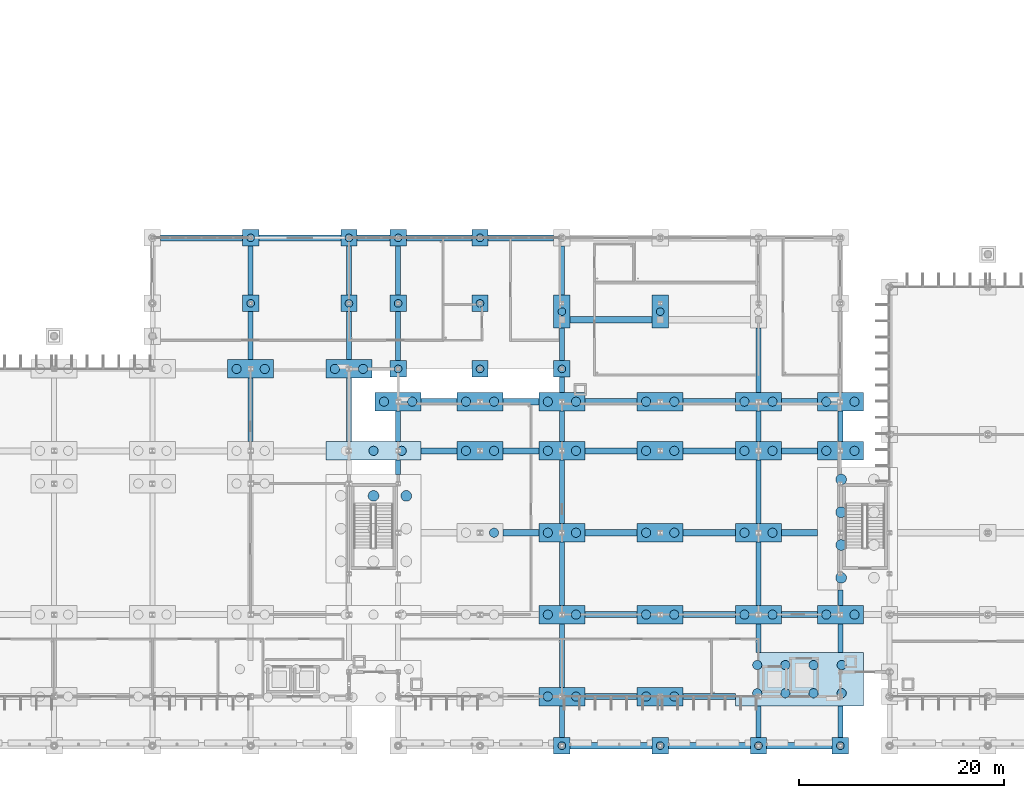
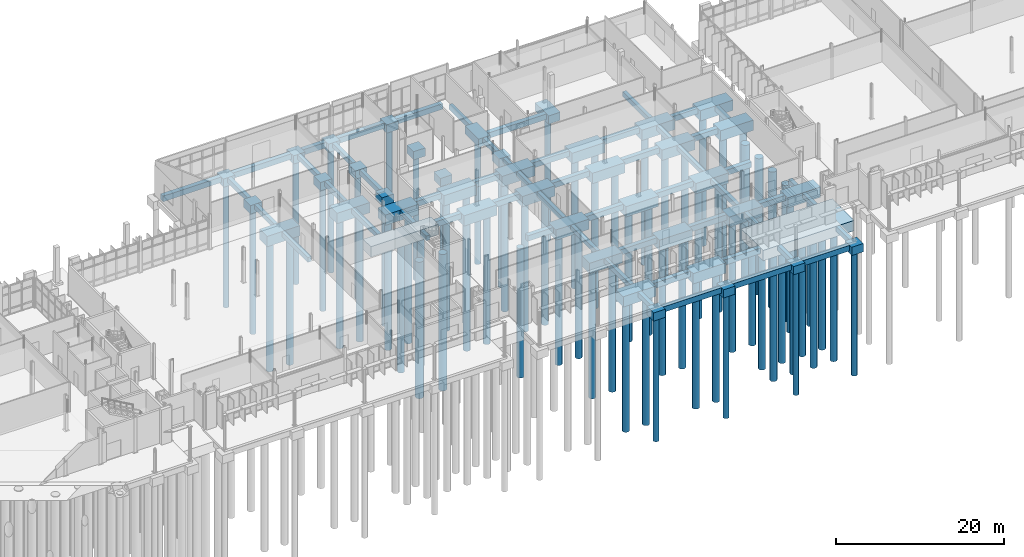
# One storey, part 3 of 111: 97 footings, 78 piles.
"""IFC4 building model written with IfcOpenShell, lengths in metres."""

import ifcopenshell
import ifcopenshell.guid

model = None  # the IFC model being written
_history = None  # IfcOwnerHistory: only IFC2X3 demands one
_inside = {}  # id of a spatial element -> (the spatial element, [elements in it])
_under = {}  # id of a project, library or spatial element -> (it, [spatial elements below it])
_declared = {}  # id of a project -> (the project, [libraries it declares])
_typed = {}  # id of a type object -> (the type object, [elements of that type])
_made_of = {}  # id of a material, layer set ... -> (it, [elements and type objects made of it])


def new_model(schema):
    """Start an empty IFC model of exactly this schema.

    Asked for "IFC4X3", IfcOpenShell would pick the latest addendum, in which some entities
    have other attributes; the version numbers below select the first issue.
    IFC2X3 requires an IfcOwnerHistory on every rooted entity: one is made here for all.
    """
    global model, _history
    if schema == "IFC4X3":
        model = ifcopenshell.file(schema_version=(4, 3, 0, 0))
    else:
        model = ifcopenshell.file(schema=schema)
    _inside.clear()
    _under.clear()
    _declared.clear()
    _typed.clear()
    _made_of.clear()
    _history = None
    if model.schema == "IFC2X3":
        org = make("IfcOrganization", Name="unknown")
        user = make(
            "IfcPersonAndOrganization",
            ThePerson=make("IfcPerson", FamilyName="unknown"),
            TheOrganization=org,
        )
        app = make(
            "IfcApplication",
            ApplicationDeveloper=org,
            Version="unknown",
            ApplicationFullName="unknown",
            ApplicationIdentifier="unknown",
        )
        _history = make(
            "IfcOwnerHistory",
            OwningUser=user,
            OwningApplication=app,
            ChangeAction="ADDED",
            CreationDate=0,
        )
    return model


def make(cls, **values):
    """One entity of the class cls with the attributes given. An attribute that is None is left unset."""
    return model.create_entity(
        cls, **{name: value for name, value in values.items() if value is not None}
    )


def rooted(cls, **values):
    """An entity with a GlobalId (a new one), such as an element, a storey or a relation."""
    return make(cls, GlobalId=ifcopenshell.guid.new(), OwnerHistory=_history, **values)


def si_unit(unit_type, name, prefix=None):
    """IfcSIUnit, for example si_unit("LENGTHUNIT", "METRE", prefix="MILLI")."""
    return make("IfcSIUnit", UnitType=unit_type, Prefix=prefix, Name=name)


def assignment(units):
    """IfcUnitAssignment: the units of a project."""
    return None if units is None else make("IfcUnitAssignment", Units=units)


def point(xyz):
    """IfcCartesianPoint."""
    return None if xyz is None else make("IfcCartesianPoint", Coordinates=xyz)


def direction(xyz):
    """IfcDirection."""
    return None if xyz is None else make("IfcDirection", DirectionRatios=xyz)


def frame(location, z_axis=None, x_axis=None):
    """IfcAxis2Placement3D, a coordinate frame: its origin and axes. An axis left out is left unset."""
    return make(
        "IfcAxis2Placement3D",
        Location=point(location),
        Axis=direction(z_axis),
        RefDirection=direction(x_axis),
    )


def frame_2d(location, x_axis=None):
    """IfcAxis2Placement2D, a coordinate frame in the plane: its origin and x axis."""
    return make(
        "IfcAxis2Placement2D", Location=point(location), RefDirection=direction(x_axis)
    )


def origin():
    """The frame at (0, 0, 0) with its axes left unset."""
    return frame((0.0, 0.0, 0.0))


def origin_2d():
    """The frame at (0, 0) in the plane with its x axis left unset."""
    return frame_2d((0.0, 0.0))


def place(relative_to, where):
    """IfcLocalPlacement: puts the frame where relative to a parent placement (None: the world)."""
    return make(
        "IfcLocalPlacement", PlacementRelTo=relative_to, RelativePlacement=where
    )


def context(
    kind, dimensions, precision=None, world=None, true_north=None, identifier=None
):
    """IfcGeometricRepresentationContext, for example the 3D "Model" context."""
    return make(
        "IfcGeometricRepresentationContext",
        ContextIdentifier=identifier,
        ContextType=kind,
        CoordinateSpaceDimension=dimensions,
        Precision=precision,
        WorldCoordinateSystem=world,
        TrueNorth=true_north,
    )


def subcontext(parent, identifier, kind, view, scale=None):
    """IfcGeometricRepresentationSubContext, for example "Body" below "Model"."""
    return make(
        "IfcGeometricRepresentationSubContext",
        ContextIdentifier=identifier,
        ContextType=kind,
        ParentContext=parent,
        TargetScale=scale,
        TargetView=view,
    )


def project(units=None, contexts=None):
    """IfcProject with its units and contexts."""
    return rooted(
        "IfcProject",
        Name="project",
        RepresentationContexts=contexts,
        UnitsInContext=assignment(units),
    )


def spatial(cls, under=None, at=None, **own):
    """A site, building, storey or space (cls), placed at a placement, below another one or the project."""
    s = rooted(cls, ObjectPlacement=at, **own)
    if under is not None:
        _under.setdefault(under.id(), (under, []))[1].append(s)
    return s


def profile(cls, at=None, kind="AREA", **sizes):
    """A parametric profile (cls). Its sizes go by their IFC names, for example OverallWidth=200.0."""
    return make(cls, ProfileType=kind, Position=at, **sizes)


def rectangle(**sizes):
    """IfcRectangleProfileDef."""
    return profile("IfcRectangleProfileDef", **sizes)


def circle(**sizes):
    """IfcCircleProfileDef."""
    return profile("IfcCircleProfileDef", **sizes)


def extrude(swept, where, along, depth):
    """IfcExtrudedAreaSolid: the profile swept, set in the frame where, extruded along a direction by depth."""
    return make(
        "IfcExtrudedAreaSolid",
        SweptArea=swept,
        Position=where,
        ExtrudedDirection=direction(along),
        Depth=depth,
    )


def shape(context_of_items, identifier, shape_type, items):
    """IfcShapeRepresentation: the items that make up one representation, for example the "Body"."""
    return make(
        "IfcShapeRepresentation",
        ContextOfItems=context_of_items,
        RepresentationIdentifier=identifier,
        RepresentationType=shape_type,
        Items=items,
    )


def material(Name=None, Category=None):
    """IfcMaterial."""
    return make("IfcMaterial", Name=Name, Category=Category)


def material_profile(
    of_material, cross_section, Name=None, Category=None, Priority=None
):
    """IfcMaterialProfile: a cross section and its material."""
    return make(
        "IfcMaterialProfile",
        Name=Name,
        Material=of_material,
        Profile=cross_section,
        Priority=Priority,
        Category=Category,
    )


def profile_set(profiles, Name=None, composite=None):
    """IfcMaterialProfileSet."""
    return make(
        "IfcMaterialProfileSet",
        Name=Name,
        MaterialProfiles=profiles,
        CompositeProfile=composite,
    )


def made_of(thing, what):
    """Note that an element or type object is made of a material, layer set ...; save() writes the relation."""
    if what is not None:
        _made_of.setdefault(what.id(), (what, []))[1].append(thing)
    return thing


def type_object(cls, material=None, **own):
    """A type object (cls), such as IfcWallType, which elements share."""
    return made_of(rooted(cls, **own), material)


def element(
    cls,
    number,
    at=None,
    inside=None,
    cuts=None,
    type_object=None,
    material=None,
    context=None,
    identifier="Body",
    shape_type=None,
    held_by="IfcProductDefinitionShape",
    body=None,
    shapes=None,
    **own,
):
    """One element of the class cls, such as IfcWall. Its Tag is "e" and its number.

    at: its placement. inside: the storey or other place that contains it. cuts: it is an
    opening in that element (IfcRelVoidsElement). A single representation is given by context,
    identifier, shape_type and body (its items); several are given by shapes. held_by: the class
    of the entity that holds the representations. save() writes the other relations.
    """
    e = rooted(cls, Tag="e%d" % number, ObjectPlacement=at, **own)
    if body is not None:
        shapes = [shape(context, identifier, shape_type, body)]
    if shapes is not None:
        e.Representation = make(held_by, Representations=shapes)
    if inside is not None:
        _inside.setdefault(inside.id(), (inside, []))[1].append(e)
    if cuts is not None:
        rooted(
            "IfcRelVoidsElement", RelatingBuildingElement=cuts, RelatedOpeningElement=e
        )
    if type_object is not None:
        _typed.setdefault(type_object.id(), (type_object, []))[1].append(e)
    return made_of(e, material)


def aggregate(whole, parts):
    """IfcRelAggregates: a whole, such as a stair, and the parts it consists of."""
    return rooted("IfcRelAggregates", RelatingObject=whole, RelatedObjects=parts)


def save(model, path):
    """Write the relations noted so far, then the file.

    IfcRelAggregates (storeys below a building ...), IfcRelContainedInSpatialStructure (elements
    in a storey), IfcRelDefinesByType, IfcRelAssociatesMaterial and IfcRelDeclares: one each for
    every whole, place, type object, material and project.
    """
    for whole, parts in _under.values():
        aggregate(whole, parts)
    for where, things in _inside.values():
        rooted(
            "IfcRelContainedInSpatialStructure",
            RelatedElements=things,
            RelatingStructure=where,
        )
    for kind, things in _typed.values():
        rooted("IfcRelDefinesByType", RelatedObjects=things, RelatingType=kind)
    for what, things in _made_of.values():
        rooted("IfcRelAssociatesMaterial", RelatedObjects=things, RelatingMaterial=what)
    for by, libraries in _declared.values():
        rooted("IfcRelDeclares", RelatingContext=by, RelatedDefinitions=libraries)
    model.write(path)


model = new_model("IFC4")

# Units and contexts
model_context = context("Model", 3, precision=1e-05, world=origin(), true_north=direction((0.0, 1.0)))
body_context = subcontext(model_context, "Body", "Model", "MODEL_VIEW")
ifc_project = project(units=[si_unit("LENGTHUNIT", "METRE"), si_unit("AREAUNIT", "SQUARE_METRE"), si_unit("VOLUMEUNIT", "CUBIC_METRE"), si_unit("PLANEANGLEUNIT", "RADIAN"), si_unit("MASSUNIT", "GRAM", prefix="KILO")], contexts=[model_context])

# Site, building, storey
site_placement = place(None, origin())
site = spatial("IfcSite", under=ifc_project, at=site_placement, CompositionType="ELEMENT")
building_placement = place(site_placement, origin())
building = spatial("IfcBuilding", under=site, at=building_placement, Name="Dunescarp Central Library", CompositionType="ELEMENT")
storey_placement = place(building_placement, origin())
storey = spatial("IfcBuildingStorey", under=building, at=storey_placement, Name="L00", CompositionType="ELEMENT", Elevation=0.0)

# Footings
ifc_material_1 = material(Name="Concrete C35/45", Category="concrete")
footing_type_1 = type_object("IfcFootingType", Name="STR-GB-EW-3200", PredefinedType="FOOTING_BEAM", material=ifc_material_1)
footing_1_placement = place(storey_placement, frame((79.199951171875, 49.60009765625, -1.10009765625), z_axis=(0.0, 0.0, 1.0), x_axis=(1.0, 0.0, 0.0)))
element("IfcFooting", 1, at=footing_1_placement, inside=storey, type_object=footing_type_1, Name="Ground tie beam GB-073", PredefinedType="FOOTING_BEAM", context=body_context, shape_type="SweptSolid", body=[
    extrude(rectangle(XDim=3.199951171875, YDim=0.60009765625, at=origin_2d()), origin(), (0.0, 0.0, 1.0), 0.800048828125),
])
footing_type_2 = type_object("IfcFootingType", Name="STR-GB-EW-3500", PredefinedType="FOOTING_BEAM", material=ifc_material_1)
for number, where, z_axis, x_axis, name in (
    (2, (120.800048828125, 12.800048828125, -1.10009765625), (0.0, 0.0, 1.0), (1.0, 0.0, 0.0), "Ground tie beam GB-040"),
    (3, (93.60009765625, 20.800048828125, -1.10009765625), (0.0, 0.0, 1.0), (1.0, 0.0, 0.0), "Ground tie beam GB-047"),
    (4, (120.800048828125, 20.800048828125, -1.10009765625), (0.0, 0.0, 1.0), (1.0, 0.0, 0.0), "Ground tie beam GB-050"),
    (5, (85.60009765625, 28.800048828125, -1.10009765625), (0.0, 0.0, 1.0), (1.0, 0.0, 0.0), "Ground tie beam GB-059"),
    (6, (93.60009765625, 28.800048828125, -1.10009765625), (0.0, 0.0, 1.0), (1.0, 0.0, 0.0), "Ground tie beam GB-060"),
    (7, (120.800048828125, 28.800048828125, -1.10009765625), (0.0, 0.0, 1.0), (1.0, 0.0, 0.0), "Ground tie beam GB-063"),
    (8, (85.60009765625, 33.60009765625, -1.10009765625), (0.0, 0.0, 1.0), (1.0, 0.0, 0.0), "Ground tie beam GB-064"),
    (9, (93.60009765625, 33.60009765625, -1.10009765625), (0.0, 0.0, 1.0), (1.0, 0.0, 0.0), "Ground tie beam GB-065"),
    (10, (120.800048828125, 33.60009765625, -1.10009765625), (0.0, 0.0, 1.0), (1.0, 0.0, 0.0), "Ground tie beam GB-068"),
):
    element("IfcFooting", number, at=place(storey_placement, frame(where, z_axis=z_axis, x_axis=x_axis)), inside=storey, type_object=footing_type_2, Name=name, PredefinedType="FOOTING_BEAM", context=body_context, shape_type="SweptSolid", body=[
        extrude(rectangle(XDim=3.5, YDim=0.60009765625, at=origin_2d()), origin(), (0.0, 0.0, 1.0), 0.800048828125),
    ])
footing_type_3 = type_object("IfcFootingType", Name="STR-GB-EW-5100", PredefinedType="FOOTING_BEAM", material=ifc_material_1)
for number, where, z_axis, x_axis, name in (
    (11, (102.39990234375, 4.800048828125, -1.10009765625), (0.0, 0.0, 1.0), (1.0, 0.0, 0.0), "Ground tie beam GB-026"),
    (12, (112.0, 4.800048828125, -1.10009765625), (0.0, 0.0, 1.0), (1.0, 0.0, 0.0), "Ground tie beam GB-027"),
    (13, (102.39990234375, 12.800048828125, -1.10009765625), (0.0, 0.0, 1.0), (1.0, 0.0, 0.0), "Ground tie beam GB-038"),
    (14, (112.0, 12.800048828125, -1.10009765625), (0.0, 0.0, 1.0), (1.0, 0.0, 0.0), "Ground tie beam GB-039"),
    (15, (102.39990234375, 20.800048828125, -1.10009765625), (0.0, 0.0, 1.0), (1.0, 0.0, 0.0), "Ground tie beam GB-048"),
    (16, (112.0, 20.800048828125, -1.10009765625), (0.0, 0.0, 1.0), (1.0, 0.0, 0.0), "Ground tie beam GB-049"),
    (17, (102.39990234375, 28.800048828125, -1.10009765625), (0.0, 0.0, 1.0), (1.0, 0.0, 0.0), "Ground tie beam GB-061"),
    (18, (112.0, 28.800048828125, -1.10009765625), (0.0, 0.0, 1.0), (1.0, 0.0, 0.0), "Ground tie beam GB-062"),
    (19, (102.39990234375, 33.60009765625, -1.10009765625), (0.0, 0.0, 1.0), (1.0, 0.0, 0.0), "Ground tie beam GB-066"),
    (20, (112.0, 33.60009765625, -1.10009765625), (0.0, 0.0, 1.0), (1.0, 0.0, 0.0), "Ground tie beam GB-067"),
):
    element("IfcFooting", number, at=place(storey_placement, frame(where, z_axis=z_axis, x_axis=x_axis)), inside=storey, type_object=footing_type_3, Name=name, PredefinedType="FOOTING_BEAM", context=body_context, shape_type="SweptSolid", body=[
        extrude(rectangle(XDim=5.10009765625, YDim=0.60009765625, at=origin_2d()), origin(), (0.0, 0.0, 1.0), 0.800048828125),
    ])
footing_type_4 = type_object("IfcFootingType", Name="STR-GB-EW-6400", PredefinedType="FOOTING_BEAM", material=ifc_material_1)
for number, where, z_axis, x_axis, name in (
    (21, (120.800048828125, 0.0, -1.10009765625), (0.0, 0.0, 1.0), (1.0, 0.0, 0.0), "Ground tie beam GB-016"),
    (22, (85.60009765625, 49.60009765625, -1.10009765625), (0.0, 0.0, 1.0), (1.0, 0.0, 0.0), "Ground tie beam GB-074"),
    (23, (93.60009765625, 49.60009765625, -1.10009765625), (0.0, 0.0, 1.0), (1.0, 0.0, 0.0), "Ground tie beam GB-075"),
):
    element("IfcFooting", number, at=place(storey_placement, frame(where, z_axis=z_axis, x_axis=x_axis)), inside=storey, type_object=footing_type_4, Name=name, PredefinedType="FOOTING_BEAM", context=body_context, shape_type="SweptSolid", body=[
        extrude(rectangle(XDim=6.39990234375, YDim=0.60009765625, at=origin_2d()), origin(), (0.0, 0.0, 1.0), 0.800048828125),
    ])
footing_type_5 = type_object("IfcFootingType", Name="STR-GB-EW-8000", PredefinedType="FOOTING_BEAM", material=ifc_material_1)
for number, where, z_axis, x_axis, name in (
    (24, (102.39990234375, 0.0, -1.10009765625), (0.0, 0.0, 1.0), (1.0, 0.0, 0.0), "Ground tie beam GB-014"),
    (25, (112.0, 0.0, -1.10009765625), (0.0, 0.0, 1.0), (1.0, 0.0, 0.0), "Ground tie beam GB-015"),
    (26, (102.39990234375, 41.60009765625, -1.10009765625), (0.0, 0.0, 1.0), (1.0, 0.0, 0.0), "Ground tie beam GB-069"),
    (27, (62.39990234375, 49.60009765625, -1.10009765625), (0.0, 0.0, 1.0), (1.0, 0.0, 0.0), "Ground tie beam GB-071"),
    (28, (72.0, 49.60009765625, -1.10009765625), (0.0, 0.0, 1.0), (1.0, 0.0, 0.0), "Ground tie beam GB-072"),
):
    element("IfcFooting", number, at=place(storey_placement, frame(where, z_axis=z_axis, x_axis=x_axis)), inside=storey, type_object=footing_type_5, Name=name, PredefinedType="FOOTING_BEAM", context=body_context, shape_type="SweptSolid", body=[
        extrude(rectangle(XDim=8.0, YDim=0.60009765625, at=origin_2d()), origin(), (0.0, 0.0, 1.0), 0.800048828125),
    ])
footing_type_6 = type_object("IfcFootingType", Name="STR-GB-NS-1400", PredefinedType="FOOTING_BEAM", material=ifc_material_1)
footing_2_placement = place(storey_placement, frame((81.60009765625, 27.199951171875, -1.0), z_axis=(0.0, 0.0, 1.0), x_axis=(0.0, 1.0, 0.0)))
element("IfcFooting", 29, at=footing_2_placement, inside=storey, type_object=footing_type_6, Name="Ground tie beam GB-157", PredefinedType="FOOTING_BEAM", context=body_context, shape_type="SweptSolid", body=[
    extrude(rectangle(XDim=1.39990234375, YDim=0.5, at=origin_2d()), origin(), (0.0, 0.0, 1.0), 0.699951171875),
])
footing_type_7 = type_object("IfcFootingType", Name="STR-GB-NS-1500", PredefinedType="FOOTING_BEAM", material=ifc_material_1)
footing_3_placement = place(storey_placement, frame((97.60009765625, 35.25, -1.0), z_axis=(0.0, 0.0, 1.0), x_axis=(0.0, 1.0, 0.0)))
element("IfcFooting", 30, at=footing_3_placement, inside=storey, type_object=footing_type_7, Name="Ground tie beam GB-166", PredefinedType="FOOTING_BEAM", context=body_context, shape_type="SweptSolid", body=[
    extrude(rectangle(XDim=1.5, YDim=0.5, at=origin_2d()), origin(), (0.0, 0.0, 1.0), 0.699951171875),
])
footing_type_8 = type_object("IfcFootingType", Name="STR-GB-NS-1520", PredefinedType="FOOTING_BEAM", material=ifc_material_1)
footing_4_placement = place(storey_placement, frame((124.800048828125, 14.4619140625, -1.0), z_axis=(0.0, 0.0, 1.0), x_axis=(0.0, 1.0, 0.0)))
element("IfcFooting", 31, at=footing_4_placement, inside=storey, type_object=footing_type_8, Name="Ground tie beam GB-178", PredefinedType="FOOTING_BEAM", context=body_context, shape_type="SweptSolid", body=[
    extrude(rectangle(XDim=1.52490234375, YDim=0.5, at=origin_2d()), origin(), (0.0, 0.0, 1.0), 0.699951171875),
])
footing_type_9 = type_object("IfcFootingType", Name="STR-GB-NS-2800", PredefinedType="FOOTING_BEAM", material=ifc_material_1)
for number, where, z_axis, x_axis, name in (
    (32, (116.800048828125, 10.5, -1.0), (0.0, 0.0, 1.0), (0.0, 1.0, 0.0), "Ground tie beam GB-170"),
    (33, (124.800048828125, 10.5, -1.0), (0.0, 0.0, 1.0), (0.0, 1.0, 0.0), "Ground tie beam GB-177"),
):
    element("IfcFooting", number, at=place(storey_placement, frame(where, z_axis=z_axis, x_axis=x_axis)), inside=storey, type_object=footing_type_9, Name=name, PredefinedType="FOOTING_BEAM", context=body_context, shape_type="SweptSolid", body=[
        extrude(rectangle(XDim=2.800048828125, YDim=0.5, at=origin_2d()), origin(), (0.0, 0.0, 1.0), 0.699951171875),
    ])
footing_type_10 = type_object("IfcFootingType", Name="STR-GB-NS-3000", PredefinedType="FOOTING_BEAM", material=ifc_material_1)
for number, where, z_axis, x_axis, name in (
    (34, (81.60009765625, 31.199951171875, -1.0), (0.0, 0.0, 1.0), (0.0, 1.0, 0.0), "Ground tie beam GB-158"),
    (35, (97.60009765625, 31.199951171875, -1.0), (0.0, 0.0, 1.0), (0.0, 1.0, 0.0), "Ground tie beam GB-165"),
    (36, (116.800048828125, 31.199951171875, -1.0), (0.0, 0.0, 1.0), (0.0, 1.0, 0.0), "Ground tie beam GB-173"),
    (37, (124.800048828125, 31.199951171875, -1.0), (0.0, 0.0, 1.0), (0.0, 1.0, 0.0), "Ground tie beam GB-179"),
):
    element("IfcFooting", number, at=place(storey_placement, frame(where, z_axis=z_axis, x_axis=x_axis)), inside=storey, type_object=footing_type_10, Name=name, PredefinedType="FOOTING_BEAM", context=body_context, shape_type="SweptSolid", body=[
        extrude(rectangle(XDim=3.0, YDim=0.5, at=origin_2d()), origin(), (0.0, 0.0, 1.0), 0.699951171875),
    ])
footing_type_11 = type_object("IfcFootingType", Name="STR-GB-NS-3100", PredefinedType="FOOTING_BEAM", material=ifc_material_1)
for number, where, z_axis, x_axis, name in (
    (38, (97.60009765625, 2.35009765625, -1.0), (0.0, 0.0, 1.0), (0.0, 1.0, 0.0), "Ground tie beam GB-161"),
    (39, (116.800048828125, 2.35009765625, -1.0), (0.0, 0.0, 1.0), (0.0, 1.0, 0.0), "Ground tie beam GB-169"),
    (40, (124.800048828125, 2.35009765625, -1.0), (0.0, 0.0, 1.0), (0.0, 1.0, 0.0), "Ground tie beam GB-176"),
):
    element("IfcFooting", number, at=place(storey_placement, frame(where, z_axis=z_axis, x_axis=x_axis)), inside=storey, type_object=footing_type_11, Name=name, PredefinedType="FOOTING_BEAM", context=body_context, shape_type="SweptSolid", body=[
        extrude(rectangle(XDim=3.10009765625, YDim=0.5, at=origin_2d()), origin(), (0.0, 0.0, 1.0), 0.699951171875),
    ])
footing_type_12 = type_object("IfcFootingType", Name="STR-GB-NS-3200", PredefinedType="FOOTING_BEAM", material=ifc_material_1)
footing_5_placement = place(storey_placement, frame((97.60009765625, 39.199951171875, -1.0), z_axis=(0.0, 0.0, 1.0), x_axis=(0.0, 1.0, 0.0)))
element("IfcFooting", 41, at=footing_5_placement, inside=storey, type_object=footing_type_12, Name="Ground tie beam GB-167", PredefinedType="FOOTING_BEAM", context=body_context, shape_type="SweptSolid", body=[
    extrude(rectangle(XDim=3.199951171875, YDim=0.5, at=origin_2d()), origin(), (0.0, 0.0, 1.0), 0.699951171875),
])
footing_type_13 = type_object("IfcFootingType", Name="STR-GB-NS-4700", PredefinedType="FOOTING_BEAM", material=ifc_material_1)
for number, where, z_axis, x_axis, name in (
    (42, (67.199951171875, 40.050048828125, -1.0), (0.0, 0.0, 1.0), (0.0, 1.0, 0.0), "Ground tie beam GB-145"),
    (43, (76.800048828125, 40.050048828125, -1.0), (0.0, 0.0, 1.0), (0.0, 1.0, 0.0), "Ground tie beam GB-152"),
):
    element("IfcFooting", number, at=place(storey_placement, frame(where, z_axis=z_axis, x_axis=x_axis)), inside=storey, type_object=footing_type_13, Name=name, PredefinedType="FOOTING_BEAM", context=body_context, shape_type="SweptSolid", body=[
        extrude(rectangle(XDim=4.699951171875, YDim=0.5, at=origin_2d()), origin(), (0.0, 0.0, 1.0), 0.699951171875),
    ])
footing_type_14 = type_object("IfcFootingType", Name="STR-GB-NS-4800", PredefinedType="FOOTING_BEAM", material=ifc_material_1)
for number, where, z_axis, x_axis, name in (
    (44, (67.199951171875, 46.39990234375, -1.0), (0.0, 0.0, 1.0), (0.0, 1.0, 0.0), "Ground tie beam GB-146"),
    (45, (76.800048828125, 46.39990234375, -1.0), (0.0, 0.0, 1.0), (0.0, 1.0, 0.0), "Ground tie beam GB-153"),
    (46, (81.60009765625, 40.0, -1.0), (0.0, 0.0, 1.0), (0.0, 1.0, 0.0), "Ground tie beam GB-159"),
    (47, (81.60009765625, 46.39990234375, -1.0), (0.0, 0.0, 1.0), (0.0, 1.0, 0.0), "Ground tie beam GB-160"),
    (48, (97.60009765625, 46.39990234375, -1.0), (0.0, 0.0, 1.0), (0.0, 1.0, 0.0), "Ground tie beam GB-168"),
):
    element("IfcFooting", number, at=place(storey_placement, frame(where, z_axis=z_axis, x_axis=x_axis)), inside=storey, type_object=footing_type_14, Name=name, PredefinedType="FOOTING_BEAM", context=body_context, shape_type="SweptSolid", body=[
        extrude(rectangle(XDim=4.800048828125, YDim=0.5, at=origin_2d()), origin(), (0.0, 0.0, 1.0), 0.699951171875),
    ])
footing_type_15 = type_object("IfcFootingType", Name="STR-GB-NS-6200", PredefinedType="FOOTING_BEAM", material=ifc_material_1)
for number, where, z_axis, x_axis, name in (
    (49, (67.199951171875, 32.800048828125, -1.0), (0.0, 0.0, 1.0), (0.0, 1.0, 0.0), "Ground tie beam GB-144"),
    (50, (76.800048828125, 32.800048828125, -1.0), (0.0, 0.0, 1.0), (0.0, 1.0, 0.0), "Ground tie beam GB-151"),
    (51, (97.60009765625, 8.800048828125, -1.0), (0.0, 0.0, 1.0), (0.0, 1.0, 0.0), "Ground tie beam GB-162"),
    (52, (97.60009765625, 16.800048828125, -1.0), (0.0, 0.0, 1.0), (0.0, 1.0, 0.0), "Ground tie beam GB-163"),
    (53, (97.60009765625, 24.800048828125, -1.0), (0.0, 0.0, 1.0), (0.0, 1.0, 0.0), "Ground tie beam GB-164"),
    (54, (116.800048828125, 16.800048828125, -1.0), (0.0, 0.0, 1.0), (0.0, 1.0, 0.0), "Ground tie beam GB-171"),
    (55, (116.800048828125, 24.800048828125, -1.0), (0.0, 0.0, 1.0), (0.0, 1.0, 0.0), "Ground tie beam GB-172"),
):
    element("IfcFooting", number, at=place(storey_placement, frame(where, z_axis=z_axis, x_axis=x_axis)), inside=storey, type_object=footing_type_15, Name=name, PredefinedType="FOOTING_BEAM", context=body_context, shape_type="SweptSolid", body=[
        extrude(rectangle(XDim=6.199951171875, YDim=0.5, at=origin_2d()), origin(), (0.0, 0.0, 1.0), 0.699951171875),
    ])
footing_type_16 = type_object("IfcFootingType", Name="STR-GB-NS-6300", PredefinedType="FOOTING_BEAM", material=ifc_material_1)
footing_6_placement = place(storey_placement, frame((116.800048828125, 37.64990234375, -1.0), z_axis=(0.0, 0.0, 1.0), x_axis=(0.0, 1.0, 0.0)))
element("IfcFooting", 56, at=footing_6_placement, inside=storey, type_object=footing_type_16, Name="Ground tie beam GB-174", PredefinedType="FOOTING_BEAM", context=body_context, shape_type="SweptSolid", body=[
    extrude(rectangle(XDim=6.300048828125, YDim=0.5, at=origin_2d()), origin(), (0.0, 0.0, 1.0), 0.699951171875),
])
ifc_material_2 = material(Name="Concrete C40/50", Category="concrete")
footing_type_17 = type_object("IfcFootingType", Name="STR-PC-12500X5200X1500", PredefinedType="PILE_CAP", material=ifc_material_2)
footing_7_placement = place(storey_placement, frame((120.800048828125, 6.5, -1.800048828125), z_axis=(0.0, 0.0, 1.0), x_axis=(1.0, 0.0, 0.0)))
element("IfcFooting", 57, at=footing_7_placement, inside=storey, type_object=footing_type_17, Name="Pile cap PC-032", PredefinedType="PILE_CAP", context=body_context, shape_type="SweptSolid", body=[
    extrude(rectangle(XDim=12.5, YDim=5.199951171875, at=origin_2d()), origin(), (0.0, 0.0, 1.0), 1.5),
])
footing_type_18 = type_object("IfcFootingType", Name="STR-PC-1600X1600X1200", PredefinedType="PILE_CAP", material=ifc_material_2)
for number, where, z_axis, x_axis, name in (
    (58, (97.60009765625, 0.0, -1.5), (0.0, 0.0, 1.0), (1.0, 0.0, 0.0), "Pile cap PC-016"),
    (59, (107.199951171875, 0.0, -1.5), (0.0, 0.0, 1.0), (1.0, 0.0, 0.0), "Pile cap PC-017"),
    (60, (116.800048828125, 0.0, -1.5), (0.0, 0.0, 1.0), (1.0, 0.0, 0.0), "Pile cap PC-018"),
    (61, (124.800048828125, 0.0, -1.5), (0.0, 0.0, 1.0), (1.0, 0.0, 0.0), "Pile cap PC-019"),
    (62, (81.60009765625, 36.800048828125, -1.5), (0.0, 0.0, 1.0), (1.0, 0.0, 0.0), "Pile cap PC-091"),
    (63, (89.60009765625, 36.800048828125, -1.5), (0.0, 0.0, 1.0), (1.0, 0.0, 0.0), "Pile cap PC-092"),
    (64, (97.60009765625, 36.800048828125, -1.5), (0.0, 0.0, 1.0), (1.0, 0.0, 0.0), "Pile cap PC-093"),
    (65, (67.199951171875, 43.199951171875, -1.5), (0.0, 0.0, 1.0), (1.0, 0.0, 0.0), "Pile cap PC-100"),
    (66, (76.800048828125, 43.199951171875, -1.5), (0.0, 0.0, 1.0), (1.0, 0.0, 0.0), "Pile cap PC-101"),
    (67, (81.60009765625, 43.199951171875, -1.5), (0.0, 0.0, 1.0), (1.0, 0.0, 0.0), "Pile cap PC-102"),
    (68, (89.60009765625, 43.199951171875, -1.5), (0.0, 0.0, 1.0), (1.0, 0.0, 0.0), "Pile cap PC-103"),
    (69, (67.199951171875, 49.60009765625, -1.5), (0.0, 0.0, 1.0), (1.0, 0.0, 0.0), "Pile cap PC-115"),
    (70, (76.800048828125, 49.60009765625, -1.5), (0.0, 0.0, 1.0), (1.0, 0.0, 0.0), "Pile cap PC-116"),
    (71, (81.60009765625, 49.60009765625, -1.5), (0.0, 0.0, 1.0), (1.0, 0.0, 0.0), "Pile cap PC-117"),
    (72, (89.60009765625, 49.60009765625, -1.5), (0.0, 0.0, 1.0), (1.0, 0.0, 0.0), "Pile cap PC-118"),
):
    element("IfcFooting", number, at=place(storey_placement, frame(where, z_axis=z_axis, x_axis=x_axis)), inside=storey, type_object=footing_type_18, Name=name, PredefinedType="PILE_CAP", context=body_context, shape_type="SweptSolid", body=[
        extrude(rectangle(XDim=1.60009765625, YDim=1.60009765625, at=origin_2d()), origin(), (0.0, 0.0, 1.0), 1.199951171875),
    ])
footing_type_19 = type_object("IfcFootingType", Name="STR-PC-1600X3200X1200", PredefinedType="PILE_CAP", material=ifc_material_2)
for number, where, z_axis, x_axis, name in (
    (73, (97.60009765625, 42.39990234375, -1.5), (0.0, 0.0, 1.0), (1.0, 0.0, 0.0), "Pile cap PC-096"),
    (74, (107.199951171875, 42.39990234375, -1.5), (0.0, 0.0, 1.0), (1.0, 0.0, 0.0), "Pile cap PC-097"),
):
    element("IfcFooting", number, at=place(storey_placement, frame(where, z_axis=z_axis, x_axis=x_axis)), inside=storey, type_object=footing_type_19, Name=name, PredefinedType="PILE_CAP", context=body_context, shape_type="SweptSolid", body=[
        extrude(rectangle(XDim=1.60009765625, YDim=3.199951171875, at=origin_2d()), origin(), (0.0, 0.0, 1.0), 1.199951171875),
    ])
footing_type_20 = type_object("IfcFootingType", Name="STR-PC-4500X1800X1500", PredefinedType="PILE_CAP", material=ifc_material_2)
for number, where, z_axis, x_axis, name in (
    (75, (97.60009765625, 4.800048828125, -1.800048828125), (0.0, 0.0, 1.0), (1.0, 0.0, 0.0), "Pile cap PC-030"),
    (76, (107.199951171875, 4.800048828125, -1.800048828125), (0.0, 0.0, 1.0), (1.0, 0.0, 0.0), "Pile cap PC-031"),
    (77, (97.60009765625, 12.800048828125, -1.800048828125), (0.0, 0.0, 1.0), (1.0, 0.0, 0.0), "Pile cap PC-044"),
    (78, (107.199951171875, 12.800048828125, -1.800048828125), (0.0, 0.0, 1.0), (1.0, 0.0, 0.0), "Pile cap PC-045"),
    (79, (116.800048828125, 12.800048828125, -1.800048828125), (0.0, 0.0, 1.0), (1.0, 0.0, 0.0), "Pile cap PC-046"),
    (80, (124.800048828125, 12.800048828125, -1.800048828125), (0.0, 0.0, 1.0), (1.0, 0.0, 0.0), "Pile cap PC-047"),
    (81, (97.60009765625, 20.800048828125, -1.800048828125), (0.0, 0.0, 1.0), (1.0, 0.0, 0.0), "Pile cap PC-056"),
    (82, (107.199951171875, 20.800048828125, -1.800048828125), (0.0, 0.0, 1.0), (1.0, 0.0, 0.0), "Pile cap PC-057"),
    (83, (116.800048828125, 20.800048828125, -1.800048828125), (0.0, 0.0, 1.0), (1.0, 0.0, 0.0), "Pile cap PC-058"),
    (84, (89.60009765625, 28.800048828125, -1.800048828125), (0.0, 0.0, 1.0), (1.0, 0.0, 0.0), "Pile cap PC-070"),
    (85, (97.60009765625, 28.800048828125, -1.800048828125), (0.0, 0.0, 1.0), (1.0, 0.0, 0.0), "Pile cap PC-071"),
    (86, (107.199951171875, 28.800048828125, -1.800048828125), (0.0, 0.0, 1.0), (1.0, 0.0, 0.0), "Pile cap PC-072"),
    (87, (116.800048828125, 28.800048828125, -1.800048828125), (0.0, 0.0, 1.0), (1.0, 0.0, 0.0), "Pile cap PC-073"),
    (88, (124.800048828125, 28.800048828125, -1.800048828125), (0.0, 0.0, 1.0), (1.0, 0.0, 0.0), "Pile cap PC-074"),
    (89, (81.60009765625, 33.60009765625, -1.800048828125), (0.0, 0.0, 1.0), (1.0, 0.0, 0.0), "Pile cap PC-081"),
    (90, (89.60009765625, 33.60009765625, -1.800048828125), (0.0, 0.0, 1.0), (1.0, 0.0, 0.0), "Pile cap PC-082"),
    (91, (97.60009765625, 33.60009765625, -1.800048828125), (0.0, 0.0, 1.0), (1.0, 0.0, 0.0), "Pile cap PC-083"),
    (92, (107.199951171875, 33.60009765625, -1.800048828125), (0.0, 0.0, 1.0), (1.0, 0.0, 0.0), "Pile cap PC-084"),
    (93, (116.800048828125, 33.60009765625, -1.800048828125), (0.0, 0.0, 1.0), (1.0, 0.0, 0.0), "Pile cap PC-085"),
    (94, (124.800048828125, 33.60009765625, -1.800048828125), (0.0, 0.0, 1.0), (1.0, 0.0, 0.0), "Pile cap PC-086"),
    (95, (67.199951171875, 36.800048828125, -1.800048828125), (0.0, 0.0, 1.0), (1.0, 0.0, 0.0), "Pile cap PC-089"),
    (96, (76.800048828125, 36.800048828125, -1.800048828125), (0.0, 0.0, 1.0), (1.0, 0.0, 0.0), "Pile cap PC-090"),
):
    element("IfcFooting", number, at=place(storey_placement, frame(where, z_axis=z_axis, x_axis=x_axis)), inside=storey, type_object=footing_type_20, Name=name, PredefinedType="PILE_CAP", context=body_context, shape_type="SweptSolid", body=[
        extrude(rectangle(XDim=4.5, YDim=1.800048828125, at=origin_2d()), origin(), (0.0, 0.0, 1.0), 1.5),
    ])
footing_type_21 = type_object("IfcFootingType", Name="STR-PC-9300X1800X1500", PredefinedType="PILE_CAP", material=ifc_material_2)
footing_8_placement = place(storey_placement, frame((79.199951171875, 28.800048828125, -1.800048828125), z_axis=(0.0, 0.0, 1.0), x_axis=(1.0, 0.0, 0.0)))
element("IfcFooting", 97, at=footing_8_placement, inside=storey, type_object=footing_type_21, Name="Pile cap PC-069", PredefinedType="PILE_CAP", context=body_context, shape_type="SweptSolid", body=[
    extrude(rectangle(XDim=9.300048828125, YDim=1.800048828125, at=origin_2d()), origin(), (0.0, 0.0, 1.0), 1.5),
])

# Piles
ifc_material_profile_1 = material_profile(ifc_material_2, circle(Radius=0.52490234375, at=origin_2d()), Name="PILE D1050")
ifc_profile_set_1 = profile_set([ifc_material_profile_1], Name="Concrete C40/50")
pile_type_1 = type_object("IfcPileType", Name="STR-PILE-D1050", PredefinedType="BORED", material=ifc_profile_set_1)
for number, where, z_axis, x_axis, name in (
    (98, (79.199951171875, 24.39990234375, -1.699951171875), (0.0, 0.0, -1.0), (1.0, 0.0, 0.0), "Bored pile BP-053-06"),
    (99, (82.39990234375, 24.39990234375, -1.699951171875), (0.0, 0.0, -1.0), (1.0, 0.0, 0.0), "Bored pile BP-053-09"),
    (100, (124.875, 16.39990234375, -1.699951171875), (0.0, 0.0, -1.0), (1.0, 0.0, 0.0), "Bored pile BP-054-01"),
    (101, (124.875, 19.60009765625, -1.699951171875), (0.0, 0.0, -1.0), (1.0, 0.0, 0.0), "Bored pile BP-054-02"),
    (102, (124.875, 22.800048828125, -1.699951171875), (0.0, 0.0, -1.0), (1.0, 0.0, 0.0), "Bored pile BP-054-03"),
    (103, (124.875, 26.0, -1.699951171875), (0.0, 0.0, -1.0), (1.0, 0.0, 0.0), "Bored pile BP-054-04"),
):
    element("IfcPile", number, at=place(storey_placement, frame(where, z_axis=z_axis, x_axis=x_axis)), inside=storey, type_object=pile_type_1, Name=name, PredefinedType="BORED", context=body_context, shape_type="SweptSolid", body=[
        extrude(circle(Radius=0.52490234375, at=origin_2d()), origin(), (0.0, 0.0, 1.0), 19.800048828125),
    ])
ifc_material_profile_2 = material_profile(ifc_material_2, circle(Radius=0.375, at=origin_2d()), Name="PILE D750")
ifc_profile_set_2 = profile_set([ifc_material_profile_2], Name="Concrete C40/50")
pile_type_2 = type_object("IfcPileType", Name="STR-PILE-D750", PredefinedType="BORED", material=ifc_profile_set_2)
for number, where, z_axis, x_axis, name in (
    (104, (97.60009765625, 0.0, -1.39990234375), (0.0, 0.0, -1.0), (1.0, 0.0, 0.0), "Bored pile BP-016-01"),
    (105, (107.199951171875, 0.0, -1.39990234375), (0.0, 0.0, -1.0), (1.0, 0.0, 0.0), "Bored pile BP-017-01"),
    (106, (116.800048828125, 0.0, -1.39990234375), (0.0, 0.0, -1.0), (1.0, 0.0, 0.0), "Bored pile BP-018-01"),
    (107, (124.800048828125, 0.0, -1.39990234375), (0.0, 0.0, -1.0), (1.0, 0.0, 0.0), "Bored pile BP-019-01"),
    (108, (81.60009765625, 36.800048828125, -1.39990234375), (0.0, 0.0, -1.0), (1.0, 0.0, 0.0), "Bored pile BP-091-01"),
    (109, (89.60009765625, 36.800048828125, -1.39990234375), (0.0, 0.0, -1.0), (1.0, 0.0, 0.0), "Bored pile BP-092-01"),
    (110, (97.60009765625, 36.800048828125, -1.39990234375), (0.0, 0.0, -1.0), (1.0, 0.0, 0.0), "Bored pile BP-093-01"),
    (111, (97.60009765625, 42.39990234375, -1.39990234375), (0.0, 0.0, -1.0), (1.0, 0.0, 0.0), "Bored pile BP-096-01"),
    (112, (107.199951171875, 42.39990234375, -1.39990234375), (0.0, 0.0, -1.0), (1.0, 0.0, 0.0), "Bored pile BP-097-01"),
    (113, (67.199951171875, 43.199951171875, -1.39990234375), (0.0, 0.0, -1.0), (1.0, 0.0, 0.0), "Bored pile BP-100-01"),
    (114, (76.800048828125, 43.199951171875, -1.39990234375), (0.0, 0.0, -1.0), (1.0, 0.0, 0.0), "Bored pile BP-101-01"),
    (115, (81.60009765625, 43.199951171875, -1.39990234375), (0.0, 0.0, -1.0), (1.0, 0.0, 0.0), "Bored pile BP-102-01"),
    (116, (89.60009765625, 43.199951171875, -1.39990234375), (0.0, 0.0, -1.0), (1.0, 0.0, 0.0), "Bored pile BP-103-01"),
    (117, (67.199951171875, 49.60009765625, -1.39990234375), (0.0, 0.0, -1.0), (1.0, 0.0, 0.0), "Bored pile BP-115-01"),
    (118, (76.800048828125, 49.60009765625, -1.39990234375), (0.0, 0.0, -1.0), (1.0, 0.0, 0.0), "Bored pile BP-116-01"),
    (119, (81.60009765625, 49.60009765625, -1.39990234375), (0.0, 0.0, -1.0), (1.0, 0.0, 0.0), "Bored pile BP-117-01"),
    (120, (89.60009765625, 49.60009765625, -1.39990234375), (0.0, 0.0, -1.0), (1.0, 0.0, 0.0), "Bored pile BP-118-01"),
):
    element("IfcPile", number, at=place(storey_placement, frame(where, z_axis=z_axis, x_axis=x_axis)), inside=storey, type_object=pile_type_2, Name=name, PredefinedType="BORED", context=body_context, shape_type="SweptSolid", body=[
        extrude(circle(Radius=0.375, at=origin_2d()), origin(), (0.0, 0.0, 1.0), 18.10009765625),
    ])
ifc_material_profile_3 = material_profile(ifc_material_2, circle(Radius=0.449951171875, at=origin_2d()), Name="PILE D900")
ifc_profile_set_3 = profile_set([ifc_material_profile_3], Name="Concrete C40/50")
pile_type_3 = type_object("IfcPileType", Name="STR-PILE-D900", PredefinedType="BORED", material=ifc_profile_set_3)
for number, where, z_axis, x_axis, name in (
    (121, (96.22509765625, 4.800048828125, -1.699951171875), (0.0, 0.0, -1.0), (1.0, 0.0, 0.0), "Bored pile BP-030-01"),
    (122, (98.97509765625, 4.800048828125, -1.699951171875), (0.0, 0.0, -1.0), (1.0, 0.0, 0.0), "Bored pile BP-030-02"),
    (123, (105.824951171875, 4.800048828125, -1.699951171875), (0.0, 0.0, -1.0), (1.0, 0.0, 0.0), "Bored pile BP-031-01"),
    (124, (108.574951171875, 4.800048828125, -1.699951171875), (0.0, 0.0, -1.0), (1.0, 0.0, 0.0), "Bored pile BP-031-02"),
    (125, (116.675048828125, 5.125, -1.699951171875), (0.0, 0.0, -1.0), (1.0, 0.0, 0.0), "Bored pile BP-032-01"),
    (126, (116.675048828125, 7.875, -1.699951171875), (0.0, 0.0, -1.0), (1.0, 0.0, 0.0), "Bored pile BP-032-02"),
    (127, (119.425048828125, 5.125, -1.699951171875), (0.0, 0.0, -1.0), (1.0, 0.0, 0.0), "Bored pile BP-032-03"),
    (128, (119.425048828125, 7.875, -1.699951171875), (0.0, 0.0, -1.0), (1.0, 0.0, 0.0), "Bored pile BP-032-04"),
    (129, (122.175048828125, 5.125, -1.699951171875), (0.0, 0.0, -1.0), (1.0, 0.0, 0.0), "Bored pile BP-032-05"),
    (130, (122.175048828125, 7.875, -1.699951171875), (0.0, 0.0, -1.0), (1.0, 0.0, 0.0), "Bored pile BP-032-06"),
    (131, (124.925048828125, 5.125, -1.699951171875), (0.0, 0.0, -1.0), (1.0, 0.0, 0.0), "Bored pile BP-032-07"),
    (132, (124.925048828125, 7.875, -1.699951171875), (0.0, 0.0, -1.0), (1.0, 0.0, 0.0), "Bored pile BP-032-08"),
    (133, (96.22509765625, 12.800048828125, -1.699951171875), (0.0, 0.0, -1.0), (1.0, 0.0, 0.0), "Bored pile BP-044-01"),
    (134, (98.97509765625, 12.800048828125, -1.699951171875), (0.0, 0.0, -1.0), (1.0, 0.0, 0.0), "Bored pile BP-044-02"),
    (135, (105.824951171875, 12.800048828125, -1.699951171875), (0.0, 0.0, -1.0), (1.0, 0.0, 0.0), "Bored pile BP-045-01"),
    (136, (108.574951171875, 12.800048828125, -1.699951171875), (0.0, 0.0, -1.0), (1.0, 0.0, 0.0), "Bored pile BP-045-02"),
    (137, (115.425048828125, 12.800048828125, -1.699951171875), (0.0, 0.0, -1.0), (1.0, 0.0, 0.0), "Bored pile BP-046-01"),
    (138, (118.175048828125, 12.800048828125, -1.699951171875), (0.0, 0.0, -1.0), (1.0, 0.0, 0.0), "Bored pile BP-046-02"),
    (139, (123.425048828125, 12.800048828125, -1.699951171875), (0.0, 0.0, -1.0), (1.0, 0.0, 0.0), "Bored pile BP-047-01"),
    (140, (126.175048828125, 12.800048828125, -1.699951171875), (0.0, 0.0, -1.0), (1.0, 0.0, 0.0), "Bored pile BP-047-02"),
    (141, (90.97509765625, 20.800048828125, -1.699951171875), (0.0, 0.0, -1.0), (1.0, 0.0, 0.0), "Bored pile BP-055-02"),
    (142, (96.22509765625, 20.800048828125, -1.699951171875), (0.0, 0.0, -1.0), (1.0, 0.0, 0.0), "Bored pile BP-056-01"),
    (143, (98.97509765625, 20.800048828125, -1.699951171875), (0.0, 0.0, -1.0), (1.0, 0.0, 0.0), "Bored pile BP-056-02"),
    (144, (105.824951171875, 20.800048828125, -1.699951171875), (0.0, 0.0, -1.0), (1.0, 0.0, 0.0), "Bored pile BP-057-01"),
    (145, (108.574951171875, 20.800048828125, -1.699951171875), (0.0, 0.0, -1.0), (1.0, 0.0, 0.0), "Bored pile BP-057-02"),
    (146, (115.425048828125, 20.800048828125, -1.699951171875), (0.0, 0.0, -1.0), (1.0, 0.0, 0.0), "Bored pile BP-058-01"),
    (147, (118.175048828125, 20.800048828125, -1.699951171875), (0.0, 0.0, -1.0), (1.0, 0.0, 0.0), "Bored pile BP-058-02"),
    (148, (79.199951171875, 28.800048828125, -1.699951171875), (0.0, 0.0, -1.0), (1.0, 0.0, 0.0), "Bored pile BP-069-02"),
    (149, (81.949951171875, 28.800048828125, -1.699951171875), (0.0, 0.0, -1.0), (1.0, 0.0, 0.0), "Bored pile BP-069-03"),
    (150, (88.22509765625, 28.800048828125, -1.699951171875), (0.0, 0.0, -1.0), (1.0, 0.0, 0.0), "Bored pile BP-070-01"),
    (151, (90.97509765625, 28.800048828125, -1.699951171875), (0.0, 0.0, -1.0), (1.0, 0.0, 0.0), "Bored pile BP-070-02"),
    (152, (96.22509765625, 28.800048828125, -1.699951171875), (0.0, 0.0, -1.0), (1.0, 0.0, 0.0), "Bored pile BP-071-01"),
    (153, (98.97509765625, 28.800048828125, -1.699951171875), (0.0, 0.0, -1.0), (1.0, 0.0, 0.0), "Bored pile BP-071-02"),
    (154, (105.824951171875, 28.800048828125, -1.699951171875), (0.0, 0.0, -1.0), (1.0, 0.0, 0.0), "Bored pile BP-072-01"),
    (155, (108.574951171875, 28.800048828125, -1.699951171875), (0.0, 0.0, -1.0), (1.0, 0.0, 0.0), "Bored pile BP-072-02"),
    (156, (115.425048828125, 28.800048828125, -1.699951171875), (0.0, 0.0, -1.0), (1.0, 0.0, 0.0), "Bored pile BP-073-01"),
    (157, (118.175048828125, 28.800048828125, -1.699951171875), (0.0, 0.0, -1.0), (1.0, 0.0, 0.0), "Bored pile BP-073-02"),
    (158, (123.425048828125, 28.800048828125, -1.699951171875), (0.0, 0.0, -1.0), (1.0, 0.0, 0.0), "Bored pile BP-074-01"),
    (159, (126.175048828125, 28.800048828125, -1.699951171875), (0.0, 0.0, -1.0), (1.0, 0.0, 0.0), "Bored pile BP-074-02"),
    (160, (80.22509765625, 33.60009765625, -1.699951171875), (0.0, 0.0, -1.0), (1.0, 0.0, 0.0), "Bored pile BP-081-01"),
    (161, (82.97509765625, 33.60009765625, -1.699951171875), (0.0, 0.0, -1.0), (1.0, 0.0, 0.0), "Bored pile BP-081-02"),
    (162, (88.22509765625, 33.60009765625, -1.699951171875), (0.0, 0.0, -1.0), (1.0, 0.0, 0.0), "Bored pile BP-082-01"),
    (163, (90.97509765625, 33.60009765625, -1.699951171875), (0.0, 0.0, -1.0), (1.0, 0.0, 0.0), "Bored pile BP-082-02"),
    (164, (96.22509765625, 33.60009765625, -1.699951171875), (0.0, 0.0, -1.0), (1.0, 0.0, 0.0), "Bored pile BP-083-01"),
    (165, (98.97509765625, 33.60009765625, -1.699951171875), (0.0, 0.0, -1.0), (1.0, 0.0, 0.0), "Bored pile BP-083-02"),
    (166, (105.824951171875, 33.60009765625, -1.699951171875), (0.0, 0.0, -1.0), (1.0, 0.0, 0.0), "Bored pile BP-084-01"),
    (167, (108.574951171875, 33.60009765625, -1.699951171875), (0.0, 0.0, -1.0), (1.0, 0.0, 0.0), "Bored pile BP-084-02"),
    (168, (115.425048828125, 33.60009765625, -1.699951171875), (0.0, 0.0, -1.0), (1.0, 0.0, 0.0), "Bored pile BP-085-01"),
    (169, (118.175048828125, 33.60009765625, -1.699951171875), (0.0, 0.0, -1.0), (1.0, 0.0, 0.0), "Bored pile BP-085-02"),
    (170, (123.425048828125, 33.60009765625, -1.699951171875), (0.0, 0.0, -1.0), (1.0, 0.0, 0.0), "Bored pile BP-086-01"),
    (171, (126.175048828125, 33.60009765625, -1.699951171875), (0.0, 0.0, -1.0), (1.0, 0.0, 0.0), "Bored pile BP-086-02"),
    (172, (65.824951171875, 36.800048828125, -1.699951171875), (0.0, 0.0, -1.0), (1.0, 0.0, 0.0), "Bored pile BP-089-01"),
    (173, (68.574951171875, 36.800048828125, -1.699951171875), (0.0, 0.0, -1.0), (1.0, 0.0, 0.0), "Bored pile BP-089-02"),
    (174, (75.425048828125, 36.800048828125, -1.699951171875), (0.0, 0.0, -1.0), (1.0, 0.0, 0.0), "Bored pile BP-090-01"),
    (175, (78.175048828125, 36.800048828125, -1.699951171875), (0.0, 0.0, -1.0), (1.0, 0.0, 0.0), "Bored pile BP-090-02"),
):
    element("IfcPile", number, at=place(storey_placement, frame(where, z_axis=z_axis, x_axis=x_axis)), inside=storey, type_object=pile_type_3, Name=name, PredefinedType="BORED", context=body_context, shape_type="SweptSolid", body=[
        extrude(circle(Radius=0.449951171875, at=origin_2d()), origin(), (0.0, 0.0, 1.0), 18.800048828125),
    ])

save(model, "model.ifc")
